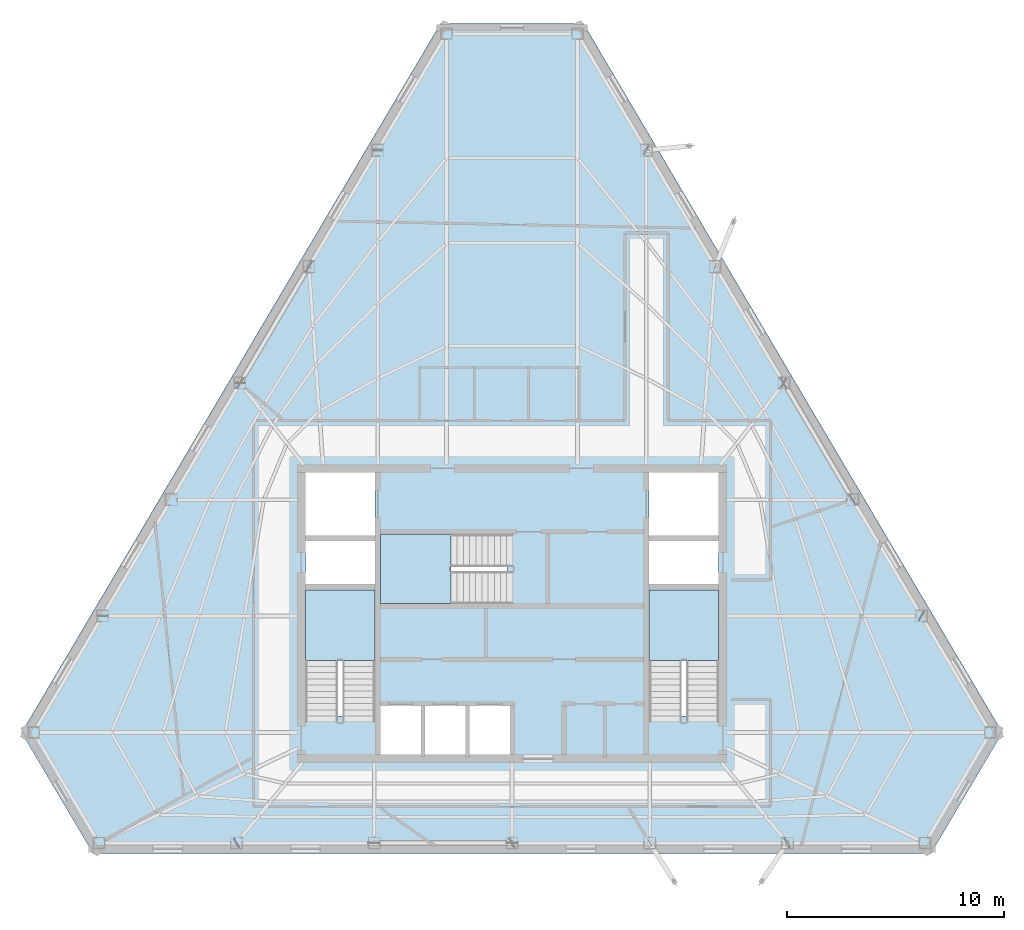
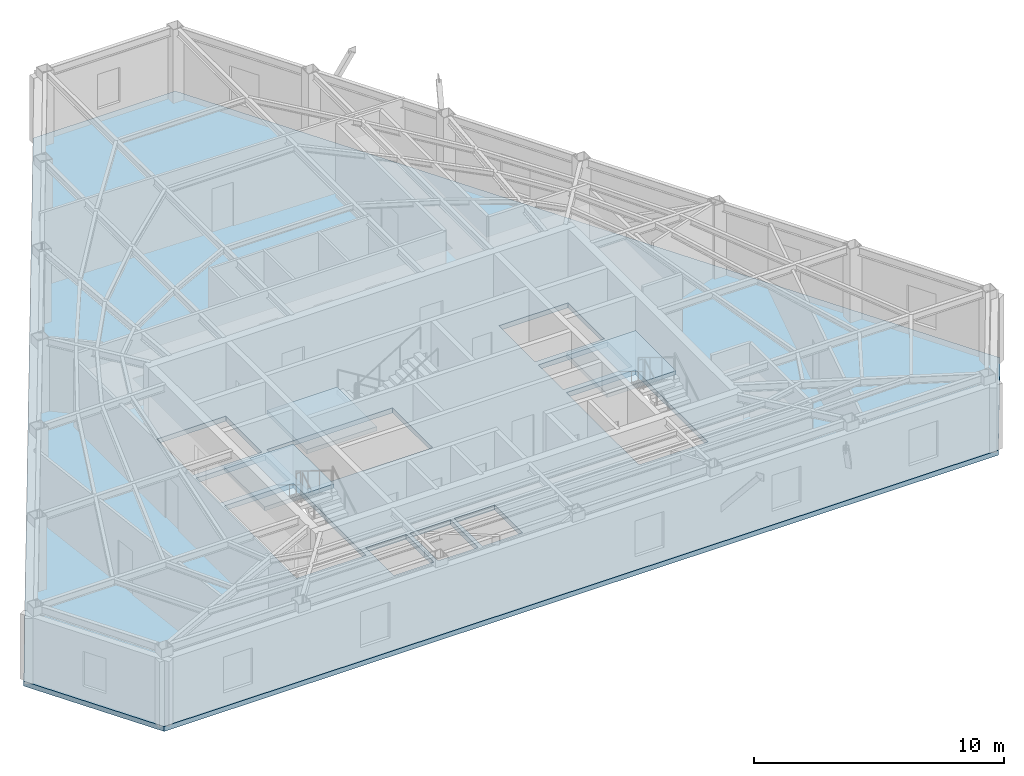
# One storey, part 3 of 10: 4 slabs, 3 elements without a shape of their own.
"""IFC4 building model written with IfcOpenShell, lengths in metres."""

from ifc_helpers import new_model, si_unit, direction, frame, origin, place, context, subcontext, project, spatial, polyline, outline, extrude, material, layer, layer_set, type_object, element, aggregate, save


model = new_model("IFC4")

# Units and contexts
model_context = context("Model", 3, precision=1e-05, world=origin(), true_north=direction((0.0, 1.0)))
body_context = subcontext(model_context, "Body", "Model", "MODEL_VIEW")
ifc_project = project(units=[si_unit("LENGTHUNIT", "METRE"), si_unit("AREAUNIT", "SQUARE_METRE"), si_unit("VOLUMEUNIT", "CUBIC_METRE"), si_unit("PLANEANGLEUNIT", "RADIAN"), si_unit("MASSUNIT", "GRAM", prefix="KILO")], contexts=[model_context])

# Site, building, storey
site_placement = place(None, origin())
site = spatial("IfcSite", under=ifc_project, at=site_placement, CompositionType="ELEMENT")
building_placement = place(site_placement, origin())
building = spatial("IfcBuilding", under=site, at=building_placement, Name="Kavelnor Concourse Tower", CompositionType="ELEMENT")
storey_placement = place(building_placement, frame((0.0, 0.0, 274.14990234375)))
storey = spatial("IfcBuildingStorey", under=building, at=storey_placement, Name="L69", CompositionType="ELEMENT", Elevation=274.14990234375)

# Stair, slab
ifc_material = material(Name="Concrete C40/50", Category="concrete")
stair_type = type_object("IfcStairType", Name="STR-CORE-1500", PredefinedType="HALF_TURN_STAIR", material=ifc_material)
stair_1_placement = place(storey_placement, origin())
stair_1 = element("IfcStair", 1, at=stair_1_placement, inside=storey, type_object=stair_type, Name="L69 ST1", PredefinedType="HALF_TURN_STAIR")
ifc_layer_1 = layer(ifc_material, 0.199951171875, Name="Concrete C40/50")
ifc_layer_set_1 = layer_set([ifc_layer_1], Name="Concrete C40/50")
slab_type_1 = type_object("IfcSlabType", Name="SLB-LANDING-200", PredefinedType="LANDING", material=ifc_layer_set_1)
slab_1_placement = place(storey_placement, frame((0.0, 0.0, 1.72509765625)))
slab_1 = element("IfcSlab", 2, at=slab_1_placement, type_object=slab_type_1, Name="ST1 landing 1", PredefinedType="LANDING", context=body_context, shape_type="SweptSolid", body=[
    extrude(outline(polyline([(31.679931640625, 13.949951171875), (31.679931640625, 17.199951171875), (28.47998046875, 17.199951171875), (28.47998046875, 13.949951171875), (31.679931640625, 13.949951171875)])), origin(), (0.0, 0.0, 1.0), 0.199951171875),
])
aggregate(stair_1, [slab_1])

stair_2_placement = place(storey_placement, origin())
stair_2 = element("IfcStair", 3, at=stair_2_placement, inside=storey, type_object=stair_type, Name="L69 ST2", PredefinedType="HALF_TURN_STAIR")
slab_2_placement = place(storey_placement, frame((0.0, 0.0, 1.72509765625)))
slab_2 = element("IfcSlab", 4, at=slab_2_placement, type_object=slab_type_1, Name="ST2 landing 1", PredefinedType="LANDING", context=body_context, shape_type="SweptSolid", body=[
    extrude(outline(polyline([(47.52001953125, 13.949951171875), (47.52001953125, 17.199951171875), (44.320068359375, 17.199951171875), (44.320068359375, 13.949951171875), (47.52001953125, 13.949951171875)])), origin(), (0.0, 0.0, 1.0), 0.199951171875),
])
aggregate(stair_2, [slab_2])

stair_3_placement = place(storey_placement, origin())
stair_3 = element("IfcStair", 5, at=stair_3_placement, inside=storey, type_object=stair_type, Name="L69 ST3", PredefinedType="HALF_TURN_STAIR")
slab_3_placement = place(storey_placement, frame((0.0, 0.0, 1.72509765625)))
slab_3 = element("IfcSlab", 6, at=slab_3_placement, type_object=slab_type_1, Name="ST3 landing 1", PredefinedType="LANDING", context=body_context, shape_type="SweptSolid", body=[
    extrude(outline(polyline([(35.18994140625, 19.760009765625), (31.93994140625, 19.760009765625), (31.93994140625, 16.56005859375), (35.18994140625, 16.56005859375), (35.18994140625, 19.760009765625)])), origin(), (0.0, 0.0, 1.0), 0.199951171875),
])
aggregate(stair_3, [slab_3])

# Slab
ifc_layer_2 = layer(ifc_material, 0.239990234375, Name="Concrete C40/50")
ifc_layer_set_2 = layer_set([ifc_layer_2], Name="Concrete C40/50")
slab_type_2 = type_object("IfcSlabType", Name="SLB-OFFICE-240", PredefinedType="FLOOR", material=ifc_layer_set_2)
slab_4_placement = place(storey_placement, frame((0.0, 0.0, -0.239990234375)))
element("IfcSlab", 7, at=slab_4_placement, inside=storey, type_object=slab_type_2, Name="L69 Composite Structural Floor Slab", PredefinedType="FLOOR", context=body_context, shape_type="SweptSolid", body=[
    extrude(outline(polyline([(41.28857421875, 43.2939453125), (34.71142578125, 43.2939453125), (15.406005859375, 10.622314453125), (18.694580078125, 5.056884765625), (57.305419921875, 5.056884765625), (60.593994140625, 10.622314453125), (41.28857421875, 43.2939453125)]), holes=[polyline([(28.47998046875, 11.3798828125), (31.679931640625, 11.3798828125), (31.679931640625, 17.199951171875), (28.47998046875, 17.199951171875), (28.47998046875, 11.3798828125)]), polyline([(44.320068359375, 11.3798828125), (47.52001953125, 11.3798828125), (47.52001953125, 17.199951171875), (44.320068359375, 17.199951171875), (44.320068359375, 11.3798828125)]), polyline([(31.93994140625, 16.56005859375), (37.760009765625, 16.56005859375), (37.760009765625, 19.760009765625), (31.93994140625, 19.760009765625), (31.93994140625, 16.56005859375)]), polyline([(28.47998046875, 19.699951171875), (31.679931640625, 19.699951171875), (31.679931640625, 22.60009765625), (28.47998046875, 22.60009765625), (28.47998046875, 19.699951171875)]), polyline([(44.320068359375, 19.699951171875), (47.52001953125, 19.699951171875), (47.52001953125, 22.60009765625), (44.320068359375, 22.60009765625), (44.320068359375, 19.699951171875)]), polyline([(31.93994140625, 9.60009765625), (33.81005859375, 9.60009765625), (33.81005859375, 11.840087890625), (31.93994140625, 11.840087890625), (31.93994140625, 9.60009765625)]), polyline([(33.989990234375, 9.60009765625), (35.860107421875, 9.60009765625), (35.860107421875, 11.840087890625), (33.989990234375, 11.840087890625), (33.989990234375, 9.60009765625)]), polyline([(36.0400390625, 9.60009765625), (37.909912109375, 9.60009765625), (37.909912109375, 11.840087890625), (36.0400390625, 11.840087890625), (36.0400390625, 9.60009765625)]), polyline([(28.47998046875, 17.4599609375), (31.679931640625, 17.4599609375), (31.679931640625, 19.43994140625), (28.47998046875, 19.43994140625), (28.47998046875, 17.4599609375)]), polyline([(44.320068359375, 17.4599609375), (47.52001953125, 17.4599609375), (47.52001953125, 19.43994140625), (44.320068359375, 19.43994140625), (44.320068359375, 17.4599609375)])]), origin(), (0.0, 0.0, 1.0), 0.239990234375),
])

save(model, "model.ifc")
